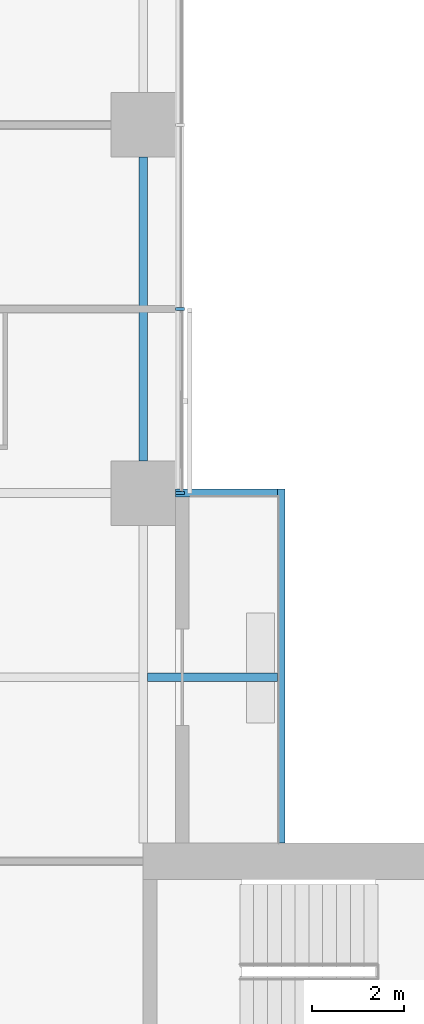
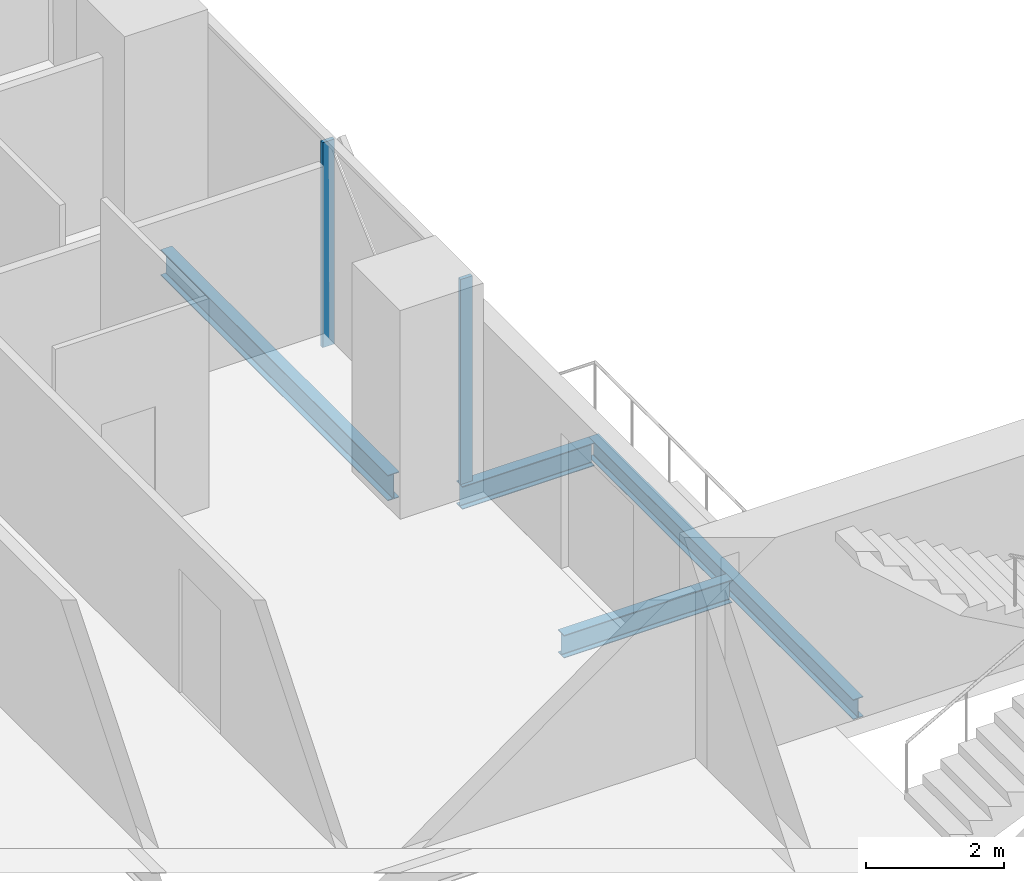
# One storey, part 10 of 27: 4 beams, 2 members, 1 element without a shape of its own.
"""IFC4 building model written with IfcOpenShell, lengths in metres."""

import ifcopenshell
import ifcopenshell.guid

model = None  # the IFC model being written
_history = None  # IfcOwnerHistory: only IFC2X3 demands one
_inside = {}  # id of a spatial element -> (the spatial element, [elements in it])
_under = {}  # id of a project, library or spatial element -> (it, [spatial elements below it])
_declared = {}  # id of a project -> (the project, [libraries it declares])
_typed = {}  # id of a type object -> (the type object, [elements of that type])
_made_of = {}  # id of a material, layer set ... -> (it, [elements and type objects made of it])


def new_model(schema):
    """Start an empty IFC model of exactly this schema.

    Asked for "IFC4X3", IfcOpenShell would pick the latest addendum, in which some entities
    have other attributes; the version numbers below select the first issue.
    IFC2X3 requires an IfcOwnerHistory on every rooted entity: one is made here for all.
    """
    global model, _history
    if schema == "IFC4X3":
        model = ifcopenshell.file(schema_version=(4, 3, 0, 0))
    else:
        model = ifcopenshell.file(schema=schema)
    _inside.clear()
    _under.clear()
    _declared.clear()
    _typed.clear()
    _made_of.clear()
    _history = None
    if model.schema == "IFC2X3":
        org = make("IfcOrganization", Name="unknown")
        user = make(
            "IfcPersonAndOrganization",
            ThePerson=make("IfcPerson", FamilyName="unknown"),
            TheOrganization=org,
        )
        app = make(
            "IfcApplication",
            ApplicationDeveloper=org,
            Version="unknown",
            ApplicationFullName="unknown",
            ApplicationIdentifier="unknown",
        )
        _history = make(
            "IfcOwnerHistory",
            OwningUser=user,
            OwningApplication=app,
            ChangeAction="ADDED",
            CreationDate=0,
        )
    return model


def make(cls, **values):
    """One entity of the class cls with the attributes given. An attribute that is None is left unset."""
    return model.create_entity(
        cls, **{name: value for name, value in values.items() if value is not None}
    )


def rooted(cls, **values):
    """An entity with a GlobalId (a new one), such as an element, a storey or a relation."""
    return make(cls, GlobalId=ifcopenshell.guid.new(), OwnerHistory=_history, **values)


def si_unit(unit_type, name, prefix=None):
    """IfcSIUnit, for example si_unit("LENGTHUNIT", "METRE", prefix="MILLI")."""
    return make("IfcSIUnit", UnitType=unit_type, Prefix=prefix, Name=name)


def assignment(units):
    """IfcUnitAssignment: the units of a project."""
    return None if units is None else make("IfcUnitAssignment", Units=units)


def point(xyz):
    """IfcCartesianPoint."""
    return None if xyz is None else make("IfcCartesianPoint", Coordinates=xyz)


def direction(xyz):
    """IfcDirection."""
    return None if xyz is None else make("IfcDirection", DirectionRatios=xyz)


def frame(location, z_axis=None, x_axis=None):
    """IfcAxis2Placement3D, a coordinate frame: its origin and axes. An axis left out is left unset."""
    return make(
        "IfcAxis2Placement3D",
        Location=point(location),
        Axis=direction(z_axis),
        RefDirection=direction(x_axis),
    )


def frame_2d(location, x_axis=None):
    """IfcAxis2Placement2D, a coordinate frame in the plane: its origin and x axis."""
    return make(
        "IfcAxis2Placement2D", Location=point(location), RefDirection=direction(x_axis)
    )


def origin():
    """The frame at (0, 0, 0) with its axes left unset."""
    return frame((0.0, 0.0, 0.0))


def origin_2d():
    """The frame at (0, 0) in the plane with its x axis left unset."""
    return frame_2d((0.0, 0.0))


def place(relative_to, where):
    """IfcLocalPlacement: puts the frame where relative to a parent placement (None: the world)."""
    return make(
        "IfcLocalPlacement", PlacementRelTo=relative_to, RelativePlacement=where
    )


def context(
    kind, dimensions, precision=None, world=None, true_north=None, identifier=None
):
    """IfcGeometricRepresentationContext, for example the 3D "Model" context."""
    return make(
        "IfcGeometricRepresentationContext",
        ContextIdentifier=identifier,
        ContextType=kind,
        CoordinateSpaceDimension=dimensions,
        Precision=precision,
        WorldCoordinateSystem=world,
        TrueNorth=true_north,
    )


def subcontext(parent, identifier, kind, view, scale=None):
    """IfcGeometricRepresentationSubContext, for example "Body" below "Model"."""
    return make(
        "IfcGeometricRepresentationSubContext",
        ContextIdentifier=identifier,
        ContextType=kind,
        ParentContext=parent,
        TargetScale=scale,
        TargetView=view,
    )


def project(units=None, contexts=None):
    """IfcProject with its units and contexts."""
    return rooted(
        "IfcProject",
        Name="project",
        RepresentationContexts=contexts,
        UnitsInContext=assignment(units),
    )


def spatial(cls, under=None, at=None, **own):
    """A site, building, storey or space (cls), placed at a placement, below another one or the project."""
    s = rooted(cls, ObjectPlacement=at, **own)
    if under is not None:
        _under.setdefault(under.id(), (under, []))[1].append(s)
    return s


def profile(cls, at=None, kind="AREA", **sizes):
    """A parametric profile (cls). Its sizes go by their IFC names, for example OverallWidth=200.0."""
    return make(cls, ProfileType=kind, Position=at, **sizes)


def rectangle(**sizes):
    """IfcRectangleProfileDef."""
    return profile("IfcRectangleProfileDef", **sizes)


def i_section(**sizes):
    """IfcIShapeProfileDef."""
    return profile("IfcIShapeProfileDef", **sizes)


def extrude(swept, where, along, depth):
    """IfcExtrudedAreaSolid: the profile swept, set in the frame where, extruded along a direction by depth."""
    return make(
        "IfcExtrudedAreaSolid",
        SweptArea=swept,
        Position=where,
        ExtrudedDirection=direction(along),
        Depth=depth,
    )


def shape(context_of_items, identifier, shape_type, items):
    """IfcShapeRepresentation: the items that make up one representation, for example the "Body"."""
    return make(
        "IfcShapeRepresentation",
        ContextOfItems=context_of_items,
        RepresentationIdentifier=identifier,
        RepresentationType=shape_type,
        Items=items,
    )


def material(Name=None, Category=None):
    """IfcMaterial."""
    return make("IfcMaterial", Name=Name, Category=Category)


def material_profile(
    of_material, cross_section, Name=None, Category=None, Priority=None
):
    """IfcMaterialProfile: a cross section and its material."""
    return make(
        "IfcMaterialProfile",
        Name=Name,
        Material=of_material,
        Profile=cross_section,
        Priority=Priority,
        Category=Category,
    )


def profile_set(profiles, Name=None, composite=None):
    """IfcMaterialProfileSet."""
    return make(
        "IfcMaterialProfileSet",
        Name=Name,
        MaterialProfiles=profiles,
        CompositeProfile=composite,
    )


def made_of(thing, what):
    """Note that an element or type object is made of a material, layer set ...; save() writes the relation."""
    if what is not None:
        _made_of.setdefault(what.id(), (what, []))[1].append(thing)
    return thing


def type_object(cls, material=None, **own):
    """A type object (cls), such as IfcWallType, which elements share."""
    return made_of(rooted(cls, **own), material)


def element(
    cls,
    number,
    at=None,
    inside=None,
    cuts=None,
    type_object=None,
    material=None,
    context=None,
    identifier="Body",
    shape_type=None,
    held_by="IfcProductDefinitionShape",
    body=None,
    shapes=None,
    **own,
):
    """One element of the class cls, such as IfcWall. Its Tag is "e" and its number.

    at: its placement. inside: the storey or other place that contains it. cuts: it is an
    opening in that element (IfcRelVoidsElement). A single representation is given by context,
    identifier, shape_type and body (its items); several are given by shapes. held_by: the class
    of the entity that holds the representations. save() writes the other relations.
    """
    e = rooted(cls, Tag="e%d" % number, ObjectPlacement=at, **own)
    if body is not None:
        shapes = [shape(context, identifier, shape_type, body)]
    if shapes is not None:
        e.Representation = make(held_by, Representations=shapes)
    if inside is not None:
        _inside.setdefault(inside.id(), (inside, []))[1].append(e)
    if cuts is not None:
        rooted(
            "IfcRelVoidsElement", RelatingBuildingElement=cuts, RelatedOpeningElement=e
        )
    if type_object is not None:
        _typed.setdefault(type_object.id(), (type_object, []))[1].append(e)
    return made_of(e, material)


def aggregate(whole, parts):
    """IfcRelAggregates: a whole, such as a stair, and the parts it consists of."""
    return rooted("IfcRelAggregates", RelatingObject=whole, RelatedObjects=parts)


def save(model, path):
    """Write the relations noted so far, then the file.

    IfcRelAggregates (storeys below a building ...), IfcRelContainedInSpatialStructure (elements
    in a storey), IfcRelDefinesByType, IfcRelAssociatesMaterial and IfcRelDeclares: one each for
    every whole, place, type object, material and project.
    """
    for whole, parts in _under.values():
        aggregate(whole, parts)
    for where, things in _inside.values():
        rooted(
            "IfcRelContainedInSpatialStructure",
            RelatedElements=things,
            RelatingStructure=where,
        )
    for kind, things in _typed.values():
        rooted("IfcRelDefinesByType", RelatedObjects=things, RelatingType=kind)
    for what, things in _made_of.values():
        rooted("IfcRelAssociatesMaterial", RelatedObjects=things, RelatingMaterial=what)
    for by, libraries in _declared.values():
        rooted("IfcRelDeclares", RelatingContext=by, RelatedDefinitions=libraries)
    model.write(path)


model = new_model("IFC4")

# Units and contexts
model_context = context("Model", 3, precision=1e-05, world=origin(), true_north=direction((0.0, 1.0)))
body_context = subcontext(model_context, "Body", "Model", "MODEL_VIEW")
ifc_project = project(units=[si_unit("LENGTHUNIT", "METRE"), si_unit("AREAUNIT", "SQUARE_METRE"), si_unit("VOLUMEUNIT", "CUBIC_METRE"), si_unit("PLANEANGLEUNIT", "RADIAN"), si_unit("MASSUNIT", "GRAM", prefix="KILO")], contexts=[model_context])

# Site, building, storey
site_placement = place(None, origin())
site = spatial("IfcSite", under=ifc_project, at=site_placement, CompositionType="ELEMENT")
building_placement = place(site_placement, origin())
building = spatial("IfcBuilding", under=site, at=building_placement, Name="Crosswind Convention Tower", CompositionType="ELEMENT")
storey_placement = place(building_placement, frame((0.0, 0.0, 79.39990234375)))
storey = spatial("IfcBuildingStorey", under=building, at=storey_placement, Name="L14", CompositionType="ELEMENT", Elevation=79.39990234375)

# Beams
ifc_material_1 = material(Name="Steel S355", Category="steel")
ifc_material_profile_1 = material_profile(ifc_material_1, i_section(OverallWidth=0.177734375, OverallDepth=0.406494140625, WebThickness=0.0078125, FlangeThickness=0.0126953125, FilletRadius=0.01025390625, at=origin_2d()), Name="UB 406x178x60")
ifc_profile_set_1 = profile_set([ifc_material_profile_1], Name="Steel S355")
beam_type_1 = type_object("IfcBeamType", Name="Balcony cantilever UB 406x178x60", PredefinedType="BEAM", material=ifc_profile_set_1)
beam_1_placement = place(storey_placement, frame((137.09521484375, 116.0, -0.483154296875), z_axis=(1.0, 0.0, 0.0), x_axis=(0.0, 1.0, 0.0)))
element("IfcBeam", 1, at=beam_1_placement, inside=storey, type_object=beam_type_1, Name="B35 L14 balcony cantilever NE 1", PredefinedType="BEAM", context=body_context, shape_type="SweptSolid", body=[
    extrude(i_section(OverallWidth=0.177734375, OverallDepth=0.406494140625, WebThickness=0.0078125, FlangeThickness=0.0126953125, FilletRadius=0.01025390625, at=origin_2d()), origin(), (0.0, 0.0, 1.0), 2.8193359375),
])
beam_2_placement = place(storey_placement, frame((137.699951171875, 120.0, -0.483154296875), z_axis=(1.0, 0.0, 0.0), x_axis=(0.0, 1.0, 0.0)))
element("IfcBeam", 2, at=beam_2_placement, inside=storey, type_object=beam_type_1, Name="B35 L14 balcony cantilever NE 2", PredefinedType="BEAM", context=body_context, shape_type="SweptSolid", body=[
    extrude(i_section(OverallWidth=0.177734375, OverallDepth=0.406494140625, WebThickness=0.0078125, FlangeThickness=0.0126953125, FilletRadius=0.01025390625, at=origin_2d()), origin(), (0.0, 0.0, 1.0), 2.214599609375),
])
ifc_material_profile_2 = material_profile(ifc_material_1, i_section(OverallWidth=0.1708984375, OverallDepth=0.35205078125, WebThickness=0.0068359375, FlangeThickness=0.009765625, FilletRadius=0.01025390625, at=origin_2d()), Name="UB 356x171x45")
ifc_profile_set_2 = profile_set([ifc_material_profile_2], Name="Steel S355")
beam_type_2 = type_object("IfcBeamType", Name="Balcony edge beam UB 356x171x45", PredefinedType="BEAM", material=ifc_profile_set_2)
beam_3_placement = place(storey_placement, frame((140.0, 112.39990234375, -0.455810546875), z_axis=(0.0, 1.0, 0.0), x_axis=(-1.0, 0.0, 0.0)))
element("IfcBeam", 3, at=beam_3_placement, inside=storey, type_object=beam_type_2, Name="B37 L14 balcony edge beam NE 3", PredefinedType="BEAM", context=body_context, shape_type="SweptSolid", body=[
    extrude(i_section(OverallWidth=0.1708984375, OverallDepth=0.35205078125, WebThickness=0.0068359375, FlangeThickness=0.009765625, FilletRadius=0.01025390625, at=origin_2d()), origin(), (0.0, 0.0, 1.0), 7.68896484375),
])
ifc_material_profile_3 = material_profile(ifc_material_1, i_section(OverallWidth=0.1904296875, OverallDepth=0.457275390625, WebThickness=0.009033203125, FlangeThickness=0.014404296875, FilletRadius=0.01025390625, at=origin_2d()), Name="UB 457x191x75")
ifc_profile_set_3 = profile_set([ifc_material_profile_3], Name="Steel S355")
beam_type_3 = type_object("IfcBeamType", Name="Edge beam UB 457x191x75", PredefinedType="SPANDREL", material=ifc_profile_set_3)
beam_4_placement = place(storey_placement, frame((137.0, 120.699951171875, -0.508544921875), z_axis=(0.0, 1.0, 0.0), x_axis=(-1.0, 0.0, 0.0)))
element("IfcBeam", 4, at=beam_4_placement, inside=storey, type_object=beam_type_3, Name="B17 L14 edge beam 22", PredefinedType="SPANDREL", context=body_context, shape_type="SweptSolid", body=[
    extrude(i_section(OverallWidth=0.1904296875, OverallDepth=0.457275390625, WebThickness=0.009033203125, FlangeThickness=0.014404296875, FilletRadius=0.01025390625, at=origin_2d()), origin(), (0.0, 0.0, 1.0), 6.60009765625),
])

# Curtain wall, members
ifc_material_2 = material(Name="Aluminium unitised curtain wall", Category="aluminium")
curtain_wall_type = type_object("IfcCurtainWallType", Name="HOTEL UNITISED WALL 200", PredefinedType="USERDEFINED", material=ifc_material_2)
curtain_wall_placement = place(storey_placement, origin())
curtain_wall = element("IfcCurtainWall", 5, at=curtain_wall_placement, inside=storey, type_object=curtain_wall_type, Name="CW2 L14 N-E 1", ObjectType="UNITISED", PredefinedType="USERDEFINED")
ifc_material_3 = material(Name="Aluminium mullion", Category="aluminium")
ifc_material_profile_4 = material_profile(ifc_material_3, rectangle(XDim=0.199951171875, YDim=0.06494140625, at=origin_2d()), Name="AL 200X65")
ifc_profile_set_4 = profile_set([ifc_material_profile_4], Name="Aluminium mullion")
member_type = type_object("IfcMemberType", Name="MULLION 65X200", PredefinedType="MULLION", material=ifc_profile_set_4)
member_1_placement = place(storey_placement, frame((137.800048828125, 120.0, -0.27978515625), z_axis=(0.0, 0.0, 1.0), x_axis=(1.0, 0.0, 0.0)))
member_1 = element("IfcMember", 6, at=member_1_placement, type_object=member_type, Name="CW2 mullion 1", PredefinedType="MULLION", context=body_context, shape_type="SweptSolid", body=[
    extrude(rectangle(XDim=0.199951171875, YDim=0.06494140625, at=origin_2d()), origin(), (0.0, 0.0, 1.0), 3.634765625),
])
member_2_placement = place(storey_placement, frame((137.800048828125, 124.0, -0.27978515625), z_axis=(0.0, 0.0, 1.0), x_axis=(1.0, 0.0, 0.0)))
member_2 = element("IfcMember", 7, at=member_2_placement, type_object=member_type, Name="CW2 mullion 2", PredefinedType="MULLION", context=body_context, shape_type="SweptSolid", body=[
    extrude(rectangle(XDim=0.199951171875, YDim=0.06494140625, at=origin_2d()), origin(), (0.0, 0.0, 1.0), 3.634765625),
])
aggregate(curtain_wall, [member_1, member_2])

save(model, "model.ifc")
